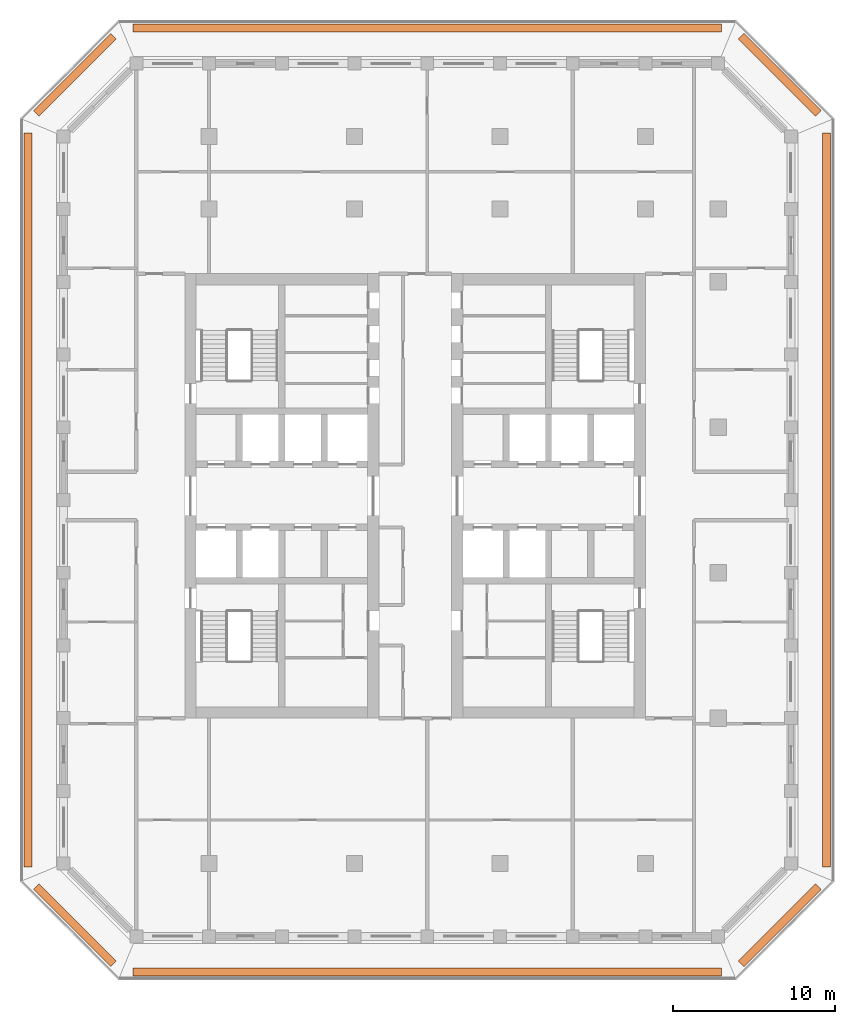
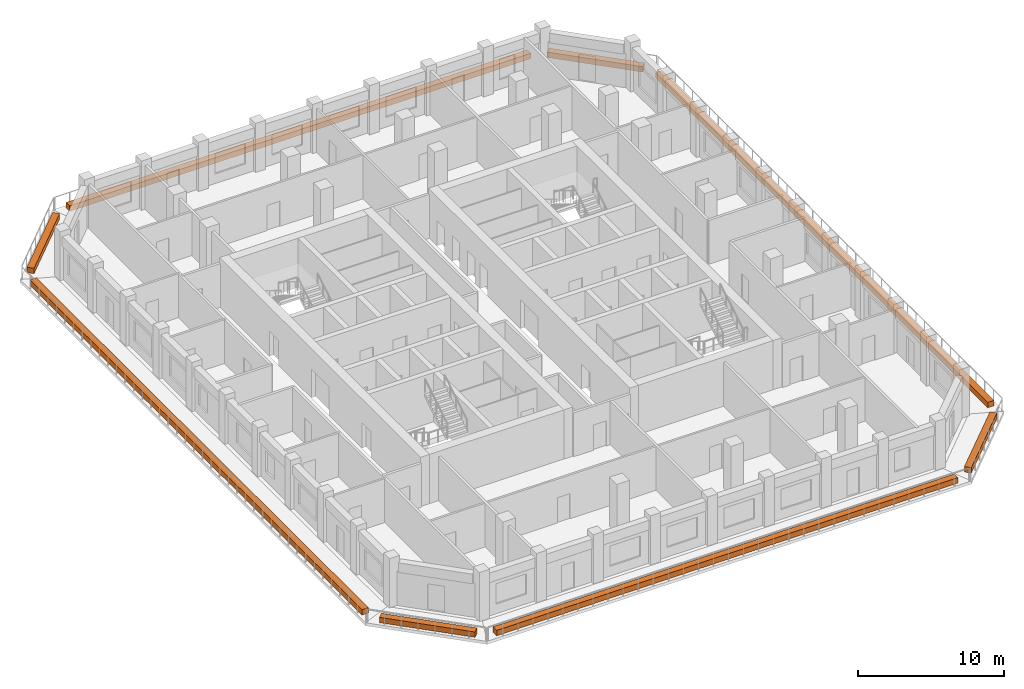
# One storey, part 17 of 17: 8 proxies.
"""IFC4 building model written with IfcOpenShell, lengths in metres."""

import ifcopenshell
import ifcopenshell.guid

model = None  # the IFC model being written
_history = None  # IfcOwnerHistory: only IFC2X3 demands one
_inside = {}  # id of a spatial element -> (the spatial element, [elements in it])
_under = {}  # id of a project, library or spatial element -> (it, [spatial elements below it])
_declared = {}  # id of a project -> (the project, [libraries it declares])
_typed = {}  # id of a type object -> (the type object, [elements of that type])
_made_of = {}  # id of a material, layer set ... -> (it, [elements and type objects made of it])


def new_model(schema):
    """Start an empty IFC model of exactly this schema.

    Asked for "IFC4X3", IfcOpenShell would pick the latest addendum, in which some entities
    have other attributes; the version numbers below select the first issue.
    IFC2X3 requires an IfcOwnerHistory on every rooted entity: one is made here for all.
    """
    global model, _history
    if schema == "IFC4X3":
        model = ifcopenshell.file(schema_version=(4, 3, 0, 0))
    else:
        model = ifcopenshell.file(schema=schema)
    _inside.clear()
    _under.clear()
    _declared.clear()
    _typed.clear()
    _made_of.clear()
    _history = None
    if model.schema == "IFC2X3":
        org = make("IfcOrganization", Name="unknown")
        user = make(
            "IfcPersonAndOrganization",
            ThePerson=make("IfcPerson", FamilyName="unknown"),
            TheOrganization=org,
        )
        app = make(
            "IfcApplication",
            ApplicationDeveloper=org,
            Version="unknown",
            ApplicationFullName="unknown",
            ApplicationIdentifier="unknown",
        )
        _history = make(
            "IfcOwnerHistory",
            OwningUser=user,
            OwningApplication=app,
            ChangeAction="ADDED",
            CreationDate=0,
        )
    return model


def make(cls, **values):
    """One entity of the class cls with the attributes given. An attribute that is None is left unset."""
    return model.create_entity(
        cls, **{name: value for name, value in values.items() if value is not None}
    )


def rooted(cls, **values):
    """An entity with a GlobalId (a new one), such as an element, a storey or a relation."""
    return make(cls, GlobalId=ifcopenshell.guid.new(), OwnerHistory=_history, **values)


def si_unit(unit_type, name, prefix=None):
    """IfcSIUnit, for example si_unit("LENGTHUNIT", "METRE", prefix="MILLI")."""
    return make("IfcSIUnit", UnitType=unit_type, Prefix=prefix, Name=name)


def assignment(units):
    """IfcUnitAssignment: the units of a project."""
    return None if units is None else make("IfcUnitAssignment", Units=units)


def point(xyz):
    """IfcCartesianPoint."""
    return None if xyz is None else make("IfcCartesianPoint", Coordinates=xyz)


def direction(xyz):
    """IfcDirection."""
    return None if xyz is None else make("IfcDirection", DirectionRatios=xyz)


def frame(location, z_axis=None, x_axis=None):
    """IfcAxis2Placement3D, a coordinate frame: its origin and axes. An axis left out is left unset."""
    return make(
        "IfcAxis2Placement3D",
        Location=point(location),
        Axis=direction(z_axis),
        RefDirection=direction(x_axis),
    )


def frame_2d(location, x_axis=None):
    """IfcAxis2Placement2D, a coordinate frame in the plane: its origin and x axis."""
    return make(
        "IfcAxis2Placement2D", Location=point(location), RefDirection=direction(x_axis)
    )


def origin():
    """The frame at (0, 0, 0) with its axes left unset."""
    return frame((0.0, 0.0, 0.0))


def origin_2d():
    """The frame at (0, 0) in the plane with its x axis left unset."""
    return frame_2d((0.0, 0.0))


def place(relative_to, where):
    """IfcLocalPlacement: puts the frame where relative to a parent placement (None: the world)."""
    return make(
        "IfcLocalPlacement", PlacementRelTo=relative_to, RelativePlacement=where
    )


def context(
    kind, dimensions, precision=None, world=None, true_north=None, identifier=None
):
    """IfcGeometricRepresentationContext, for example the 3D "Model" context."""
    return make(
        "IfcGeometricRepresentationContext",
        ContextIdentifier=identifier,
        ContextType=kind,
        CoordinateSpaceDimension=dimensions,
        Precision=precision,
        WorldCoordinateSystem=world,
        TrueNorth=true_north,
    )


def subcontext(parent, identifier, kind, view, scale=None):
    """IfcGeometricRepresentationSubContext, for example "Body" below "Model"."""
    return make(
        "IfcGeometricRepresentationSubContext",
        ContextIdentifier=identifier,
        ContextType=kind,
        ParentContext=parent,
        TargetScale=scale,
        TargetView=view,
    )


def project(units=None, contexts=None):
    """IfcProject with its units and contexts."""
    return rooted(
        "IfcProject",
        Name="project",
        RepresentationContexts=contexts,
        UnitsInContext=assignment(units),
    )


def spatial(cls, under=None, at=None, **own):
    """A site, building, storey or space (cls), placed at a placement, below another one or the project."""
    s = rooted(cls, ObjectPlacement=at, **own)
    if under is not None:
        _under.setdefault(under.id(), (under, []))[1].append(s)
    return s


def profile(cls, at=None, kind="AREA", **sizes):
    """A parametric profile (cls). Its sizes go by their IFC names, for example OverallWidth=200.0."""
    return make(cls, ProfileType=kind, Position=at, **sizes)


def rectangle(**sizes):
    """IfcRectangleProfileDef."""
    return profile("IfcRectangleProfileDef", **sizes)


def extrude(swept, where, along, depth):
    """IfcExtrudedAreaSolid: the profile swept, set in the frame where, extruded along a direction by depth."""
    return make(
        "IfcExtrudedAreaSolid",
        SweptArea=swept,
        Position=where,
        ExtrudedDirection=direction(along),
        Depth=depth,
    )


def shape(context_of_items, identifier, shape_type, items):
    """IfcShapeRepresentation: the items that make up one representation, for example the "Body"."""
    return make(
        "IfcShapeRepresentation",
        ContextOfItems=context_of_items,
        RepresentationIdentifier=identifier,
        RepresentationType=shape_type,
        Items=items,
    )


def material(Name=None, Category=None):
    """IfcMaterial."""
    return make("IfcMaterial", Name=Name, Category=Category)


def made_of(thing, what):
    """Note that an element or type object is made of a material, layer set ...; save() writes the relation."""
    if what is not None:
        _made_of.setdefault(what.id(), (what, []))[1].append(thing)
    return thing


def type_object(cls, material=None, **own):
    """A type object (cls), such as IfcWallType, which elements share."""
    return made_of(rooted(cls, **own), material)


def element(
    cls,
    number,
    at=None,
    inside=None,
    cuts=None,
    type_object=None,
    material=None,
    context=None,
    identifier="Body",
    shape_type=None,
    held_by="IfcProductDefinitionShape",
    body=None,
    shapes=None,
    **own,
):
    """One element of the class cls, such as IfcWall. Its Tag is "e" and its number.

    at: its placement. inside: the storey or other place that contains it. cuts: it is an
    opening in that element (IfcRelVoidsElement). A single representation is given by context,
    identifier, shape_type and body (its items); several are given by shapes. held_by: the class
    of the entity that holds the representations. save() writes the other relations.
    """
    e = rooted(cls, Tag="e%d" % number, ObjectPlacement=at, **own)
    if body is not None:
        shapes = [shape(context, identifier, shape_type, body)]
    if shapes is not None:
        e.Representation = make(held_by, Representations=shapes)
    if inside is not None:
        _inside.setdefault(inside.id(), (inside, []))[1].append(e)
    if cuts is not None:
        rooted(
            "IfcRelVoidsElement", RelatingBuildingElement=cuts, RelatedOpeningElement=e
        )
    if type_object is not None:
        _typed.setdefault(type_object.id(), (type_object, []))[1].append(e)
    return made_of(e, material)


def aggregate(whole, parts):
    """IfcRelAggregates: a whole, such as a stair, and the parts it consists of."""
    return rooted("IfcRelAggregates", RelatingObject=whole, RelatedObjects=parts)


def save(model, path):
    """Write the relations noted so far, then the file.

    IfcRelAggregates (storeys below a building ...), IfcRelContainedInSpatialStructure (elements
    in a storey), IfcRelDefinesByType, IfcRelAssociatesMaterial and IfcRelDeclares: one each for
    every whole, place, type object, material and project.
    """
    for whole, parts in _under.values():
        aggregate(whole, parts)
    for where, things in _inside.values():
        rooted(
            "IfcRelContainedInSpatialStructure",
            RelatedElements=things,
            RelatingStructure=where,
        )
    for kind, things in _typed.values():
        rooted("IfcRelDefinesByType", RelatedObjects=things, RelatingType=kind)
    for what, things in _made_of.values():
        rooted("IfcRelAssociatesMaterial", RelatedObjects=things, RelatingMaterial=what)
    for by, libraries in _declared.values():
        rooted("IfcRelDeclares", RelatingContext=by, RelatedDefinitions=libraries)
    model.write(path)


model = new_model("IFC4")

# Units and contexts
model_context = context("Model", 3, precision=1e-05, world=origin(), true_north=direction((0.0, 1.0)))
body_context = subcontext(model_context, "Body", "Model", "MODEL_VIEW")
ifc_project = project(units=[si_unit("LENGTHUNIT", "METRE"), si_unit("AREAUNIT", "SQUARE_METRE"), si_unit("VOLUMEUNIT", "CUBIC_METRE"), si_unit("PLANEANGLEUNIT", "RADIAN"), si_unit("MASSUNIT", "GRAM", prefix="KILO")], contexts=[model_context])

# Site, building, storey
site_placement = place(None, origin())
site = spatial("IfcSite", under=ifc_project, at=site_placement, CompositionType="ELEMENT")
building_placement = place(site_placement, origin())
building = spatial("IfcBuilding", under=site, at=building_placement, Name="Corbel Stack Research Tower", CompositionType="ELEMENT")
storey_placement = place(building_placement, frame((0.0, 0.0, 235.699951171875)))
storey = spatial("IfcBuildingStorey", under=building, at=storey_placement, Name="L53", CompositionType="ELEMENT", Elevation=235.699951171875)

# Proxies
ifc_material = material(Name="Concrete C45/55", Category="concrete")
building_element_proxy_type = type_object("IfcBuildingElementProxyType", Name="Planter box", PredefinedType="USERDEFINED", material=ifc_material)
proxy_1_placement = place(storey_placement, frame((4.5, -24.699951171875, 0.0), z_axis=(0.0, 0.0, 1.0), x_axis=(1.0, 0.0, 0.0)))
element("IfcBuildingElementProxy", 1, at=proxy_1_placement, inside=storey, type_object=building_element_proxy_type, Name="Planter L53 S", ObjectType="PLANTER", PredefinedType="USERDEFINED", context=body_context, shape_type="SweptSolid", body=[
    extrude(rectangle(XDim=36.41064453125, YDim=0.5, at=origin_2d()), origin(), (0.0, 0.0, 1.0), 0.449951171875),
])
proxy_2_placement = place(storey_placement, frame((26.3056640625, -21.8056640625, 0.0), z_axis=(0.0, 0.0, 1.0), x_axis=(0.707106781187, 0.707106781187, 0.0)))
element("IfcBuildingElementProxy", 2, at=proxy_2_placement, inside=storey, type_object=building_element_proxy_type, Name="Planter L53 SE", ObjectType="PLANTER", PredefinedType="USERDEFINED", context=body_context, shape_type="SweptSolid", body=[
    extrude(rectangle(XDim=6.774658203125, YDim=0.5, at=origin_2d()), origin(), (0.0, 0.0, 1.0), 0.449951171875),
])
proxy_3_placement = place(storey_placement, frame((29.199951171875, 4.5, 0.0), z_axis=(0.0, 0.0, 1.0), x_axis=(0.0, 1.0, 0.0)))
element("IfcBuildingElementProxy", 3, at=proxy_3_placement, inside=storey, type_object=building_element_proxy_type, Name="Planter L53 E", ObjectType="PLANTER", PredefinedType="USERDEFINED", context=body_context, shape_type="SweptSolid", body=[
    extrude(rectangle(XDim=45.41064453125, YDim=0.5, at=origin_2d()), origin(), (0.0, 0.0, 1.0), 0.449951171875),
])
proxy_4_placement = place(storey_placement, frame((26.3056640625, 30.8056640625, 0.0), z_axis=(0.0, 0.0, 1.0), x_axis=(-0.707106781187, 0.707106781187, 0.0)))
element("IfcBuildingElementProxy", 4, at=proxy_4_placement, inside=storey, type_object=building_element_proxy_type, Name="Planter L53 NE", ObjectType="PLANTER", PredefinedType="USERDEFINED", context=body_context, shape_type="SweptSolid", body=[
    extrude(rectangle(XDim=6.774658203125, YDim=0.5, at=origin_2d()), origin(), (0.0, 0.0, 1.0), 0.449951171875),
])
proxy_5_placement = place(storey_placement, frame((4.5, 33.699951171875, 0.0), z_axis=(0.0, 0.0, 1.0), x_axis=(-1.0, 0.0, 0.0)))
element("IfcBuildingElementProxy", 5, at=proxy_5_placement, inside=storey, type_object=building_element_proxy_type, Name="Planter L53 N", ObjectType="PLANTER", PredefinedType="USERDEFINED", context=body_context, shape_type="SweptSolid", body=[
    extrude(rectangle(XDim=36.41064453125, YDim=0.5, at=origin_2d()), origin(), (0.0, 0.0, 1.0), 0.449951171875),
])
proxy_6_placement = place(storey_placement, frame((-17.3056640625, 30.8056640625, 0.0), z_axis=(0.0, 0.0, 1.0), x_axis=(-0.707106781187, -0.707106781187, 0.0)))
element("IfcBuildingElementProxy", 6, at=proxy_6_placement, inside=storey, type_object=building_element_proxy_type, Name="Planter L53 NW", ObjectType="PLANTER", PredefinedType="USERDEFINED", context=body_context, shape_type="SweptSolid", body=[
    extrude(rectangle(XDim=6.774658203125, YDim=0.5, at=origin_2d()), origin(), (0.0, 0.0, 1.0), 0.449951171875),
])
proxy_7_placement = place(storey_placement, frame((-20.199951171875, 4.5, 0.0), z_axis=(0.0, 0.0, 1.0), x_axis=(0.0, -1.0, 0.0)))
element("IfcBuildingElementProxy", 7, at=proxy_7_placement, inside=storey, type_object=building_element_proxy_type, Name="Planter L53 W", ObjectType="PLANTER", PredefinedType="USERDEFINED", context=body_context, shape_type="SweptSolid", body=[
    extrude(rectangle(XDim=45.41064453125, YDim=0.5, at=origin_2d()), origin(), (0.0, 0.0, 1.0), 0.449951171875),
])
proxy_8_placement = place(storey_placement, frame((-17.3056640625, -21.8056640625, 0.0), z_axis=(0.0, 0.0, 1.0), x_axis=(0.707106781187, -0.707106781187, 0.0)))
element("IfcBuildingElementProxy", 8, at=proxy_8_placement, inside=storey, type_object=building_element_proxy_type, Name="Planter L53 SW", ObjectType="PLANTER", PredefinedType="USERDEFINED", context=body_context, shape_type="SweptSolid", body=[
    extrude(rectangle(XDim=6.774658203125, YDim=0.5, at=origin_2d()), origin(), (0.0, 0.0, 1.0), 0.449951171875),
])

save(model, "model.ifc")
